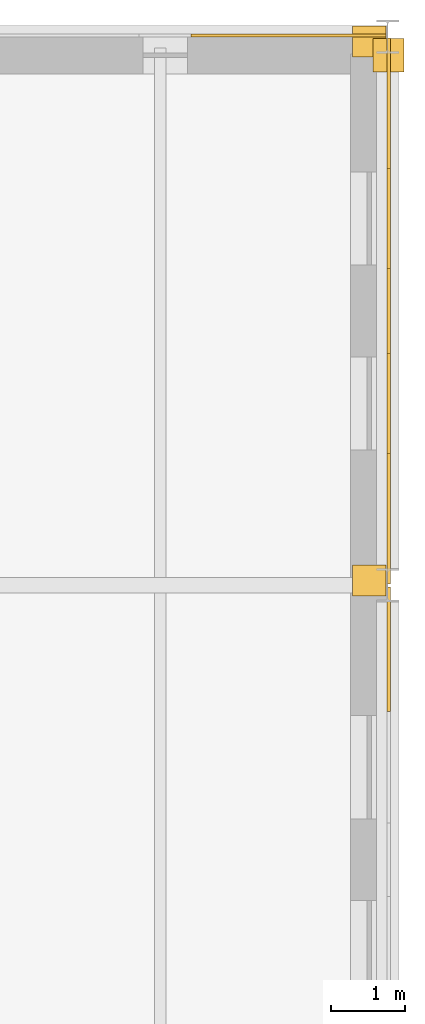
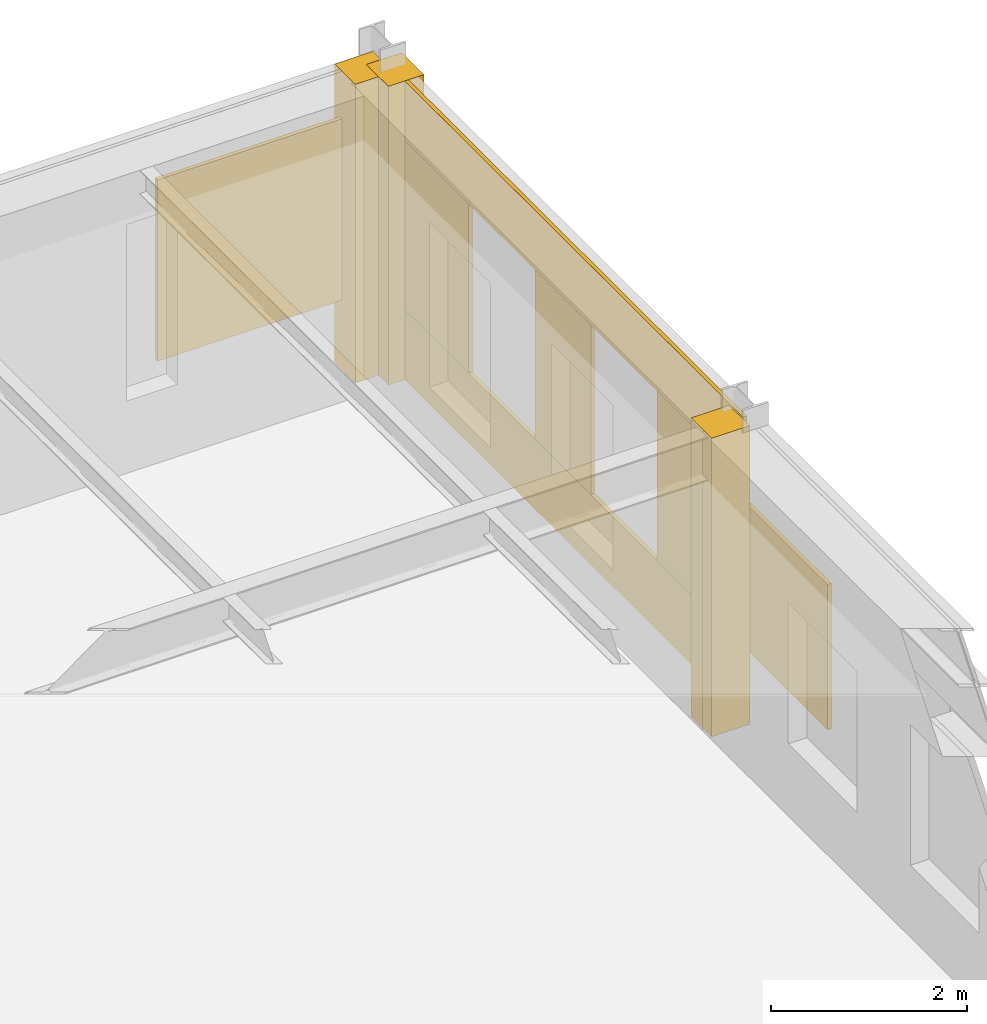
# One storey, part 56 of 56: 10 coverings.
"""IFC4 building model written with IfcOpenShell, lengths in metres."""

from ifc_helpers import new_model, si_unit, direction, frame, frame_2d, origin, origin_2d, place, context, subcontext, project, spatial, rectangle, extrude, material, layer, layer_set, type_object, element, save


model = new_model("IFC4")

# Units and contexts
model_context = context("Model", 3, precision=1e-05, world=origin(), true_north=direction((0.0, 1.0)))
body_context = subcontext(model_context, "Body", "Model", "MODEL_VIEW")
ifc_project = project(units=[si_unit("LENGTHUNIT", "METRE"), si_unit("AREAUNIT", "SQUARE_METRE"), si_unit("VOLUMEUNIT", "CUBIC_METRE"), si_unit("PLANEANGLEUNIT", "RADIAN"), si_unit("MASSUNIT", "GRAM", prefix="KILO")], contexts=[model_context])

# Site, building, storey
site_placement = place(None, origin())
site = spatial("IfcSite", under=ifc_project, at=site_placement, CompositionType="ELEMENT")
building_placement = place(site_placement, origin())
building = spatial("IfcBuilding", under=site, at=building_placement, Name="Valkorina Park Police Headquarters", CompositionType="ELEMENT")
storey_placement = place(building_placement, frame((0.0, 0.0, 14.10009765625)))
storey = spatial("IfcBuildingStorey", under=building, at=storey_placement, Name="L04", CompositionType="ELEMENT", Elevation=14.10009765625)

# Coverings
ifc_material = material(Name="Precast concrete C40/50", Category="concrete")
ifc_layer = layer(ifc_material, 0.044921875)
ifc_layer_set = layer_set([ifc_layer], Name="Precast concrete C40/50")
covering_type = type_object("IfcCoveringType", Name="COV-CLAD-DOLOMITE", PredefinedType="CLADDING", material=ifc_layer_set)
covering_1_placement = place(storey_placement, frame((162.010009765625, 81.14990234375, 0.0), z_axis=(0.0, 0.0, 1.0), x_axis=(1.0, 0.0, 0.0)))
element("IfcCovering", 1, at=covering_1_placement, inside=storey, type_object=covering_type, Name="L04 Exterior Joint Closure Pilaster B 2296", PredefinedType="CLADDING", context=body_context, shape_type="SweptSolid", body=[
    extrude(rectangle(XDim=0.419921875, YDim=0.449951171875, at=origin_2d()), origin(), (0.0, 0.0, 1.0), 3.719970703125),
])
covering_2_placement = place(storey_placement, frame((159.348388671875, 81.4150390625, 0.869873046875), z_axis=(0.0, 0.0, 1.0), x_axis=(1.0, 0.0, 0.0)))
element("IfcCovering", 2, at=covering_2_placement, inside=storey, type_object=covering_type, Name="L04 Calm Concrete Base Slot Pier 2301", PredefinedType="CLADDING", context=body_context, shape_type="SweptSolid", body=[
    extrude(rectangle(XDim=2.631591796875, YDim=0.044921875, at=frame_2d((1.31591796875, 0.0))), origin(), (0.0, 0.0, 1.0), 2.260009765625),
])
for number, where, z_axis, x_axis, name in (
    (3, (161.75, 81.3349609375, 0.0), (0.0, 0.0, 1.0), (0.0, 1.0, 0.0), "L04 Exterior Joint Closure Pilaster A 2302"),
    (4, (161.75, 74.06494140625, 0.0), (0.0, 0.0, 1.0), (0.0, 1.0, 0.0), "L04 Exterior Joint Closure Pilaster B 2303"),
):
    element("IfcCovering", number, at=place(storey_placement, frame(where, z_axis=z_axis, x_axis=x_axis)), inside=storey, type_object=covering_type, Name=name, PredefinedType="CLADDING", context=body_context, shape_type="SweptSolid", body=[
        extrude(rectangle(XDim=0.419921875, YDim=0.449951171875, at=origin_2d()), origin(), (0.0, 0.0, 1.0), 3.719970703125),
    ])
covering_3_placement = place(storey_placement, frame((162.014892578125, 81.3798828125, 0.0), z_axis=(0.0, 0.0, 1.0), x_axis=(0.0, -1.0, 0.0)))
element("IfcCovering", 5, at=covering_3_placement, inside=storey, type_object=covering_type, Name="L04 Calm Concrete Base Sill Spandrel 2304", PredefinedType="CLADDING", context=body_context, shape_type="SweptSolid", body=[
    extrude(rectangle(XDim=7.35986328125, YDim=0.044921875, at=frame_2d((3.679931640625, 0.0))), origin(), (0.0, 0.0, 1.0), 0.869873046875),
])
covering_4_placement = place(storey_placement, frame((162.014892578125, 81.3798828125, 2.97998046875), z_axis=(0.0, 0.0, 1.0), x_axis=(0.0, -1.0, 0.0)))
element("IfcCovering", 6, at=covering_4_placement, inside=storey, type_object=covering_type, Name="L04 Calm Concrete Base Lintel Spandrel 2305", PredefinedType="CLADDING", context=body_context, shape_type="SweptSolid", body=[
    extrude(rectangle(XDim=7.35986328125, YDim=0.044921875, at=frame_2d((3.679931640625, 0.0))), origin(), (0.0, 0.0, 1.0), 0.739990234375),
])
covering_5_placement = place(storey_placement, frame((162.014892578125, 81.3798828125, 0.869873046875), z_axis=(0.0, 0.0, 1.0), x_axis=(0.0, -1.0, 0.0)))
element("IfcCovering", 7, at=covering_5_placement, inside=storey, type_object=covering_type, Name="L04 Calm Concrete Base Slot Pier 2306", PredefinedType="CLADDING", context=body_context, shape_type="SweptSolid", body=[
    extrude(rectangle(XDim=1.757568359375, YDim=0.044921875, at=frame_2d((0.87890625, 0.0))), origin(), (0.0, 0.0, 1.0), 2.110107421875),
])
covering_6_placement = place(storey_placement, frame((162.014892578125, 78.2724609375, 0.869873046875), z_axis=(0.0, 0.0, 1.0), x_axis=(0.0, -1.0, 0.0)))
element("IfcCovering", 8, at=covering_6_placement, inside=storey, type_object=covering_type, Name="L04 Calm Concrete Base Slot Pier 2307", PredefinedType="CLADDING", context=body_context, shape_type="SweptSolid", body=[
    extrude(rectangle(XDim=1.144775390625, YDim=0.044921875, at=frame_2d((0.572265625, 0.0))), origin(), (0.0, 0.0, 1.0), 2.110107421875),
])
covering_7_placement = place(storey_placement, frame((162.014892578125, 75.777587890625, 0.869873046875), z_axis=(0.0, 0.0, 1.0), x_axis=(0.0, -1.0, 0.0)))
element("IfcCovering", 9, at=covering_7_placement, inside=storey, type_object=covering_type, Name="L04 Calm Concrete Base Slot Pier 2308", PredefinedType="CLADDING", context=body_context, shape_type="SweptSolid", body=[
    extrude(rectangle(XDim=1.757568359375, YDim=0.044921875, at=frame_2d((0.87890625, 0.0))), origin(), (0.0, 0.0, 1.0), 2.110107421875),
])
covering_8_placement = place(storey_placement, frame((162.014892578125, 73.97998046875, 0.869873046875), z_axis=(0.0, 0.0, 1.0), x_axis=(0.0, -1.0, 0.0)))
element("IfcCovering", 10, at=covering_8_placement, inside=storey, type_object=covering_type, Name="L04 Calm Concrete Base Slot Pier 2312", PredefinedType="CLADDING", context=body_context, shape_type="SweptSolid", body=[
    extrude(rectangle(XDim=1.6826171875, YDim=0.044921875, at=frame_2d((0.84130859375, 0.0))), origin(), (0.0, 0.0, 1.0), 1.81005859375),
])

save(model, "model.ifc")
